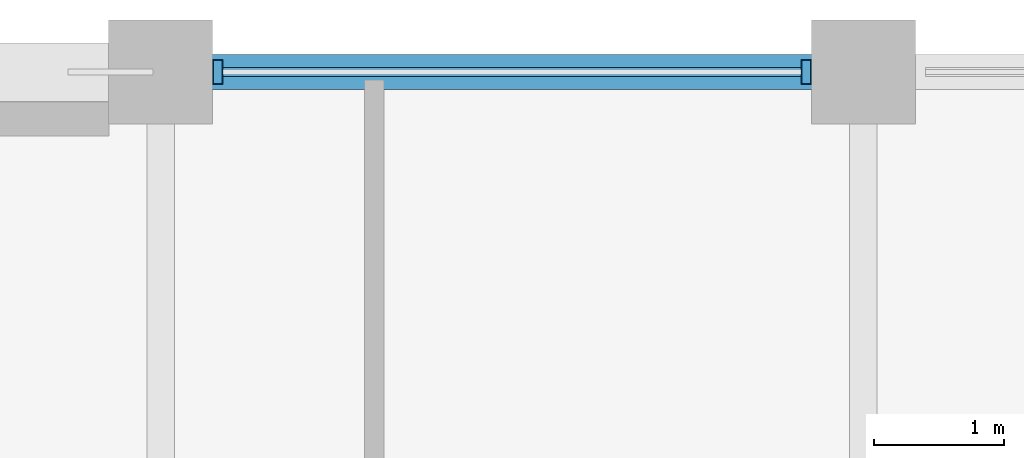
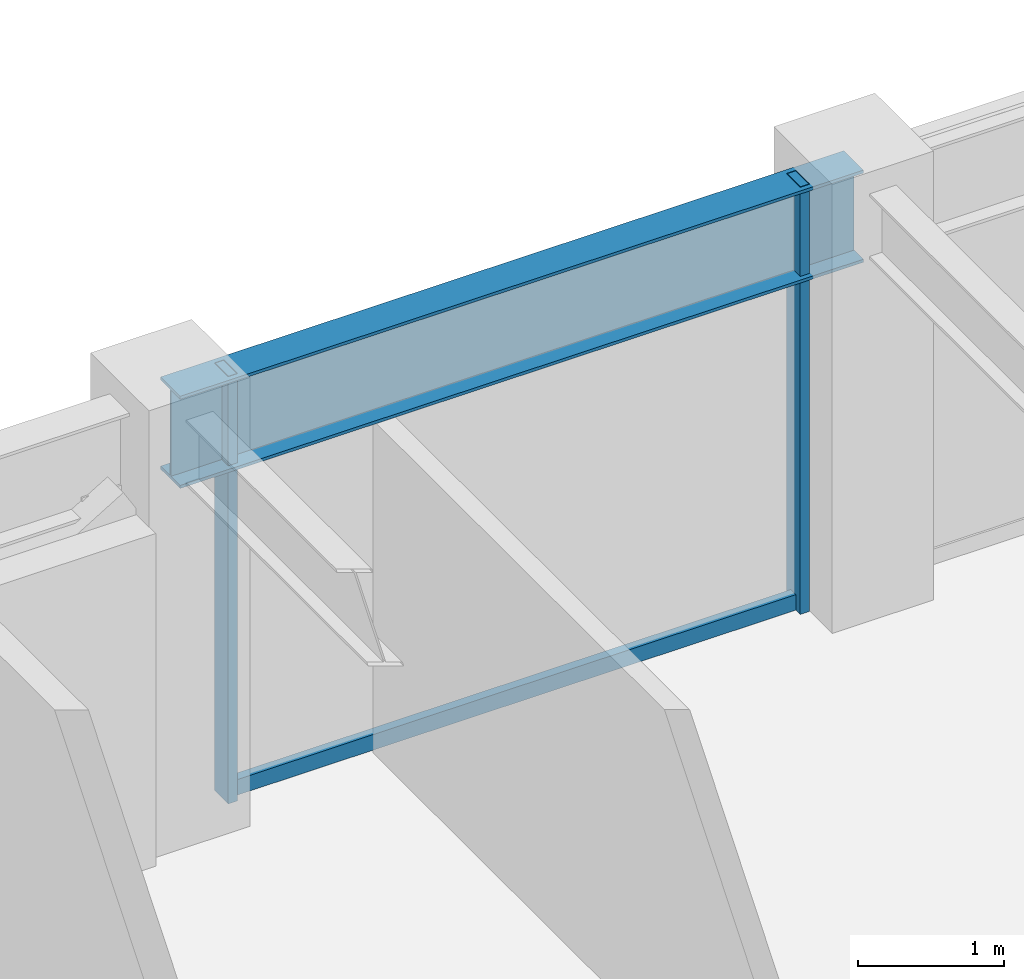
# One storey, part 22 of 32: 3 members, 1 beam, 1 element without a shape of its own.
"""IFC4 building model written with IfcOpenShell, lengths in metres."""

from ifc_helpers import new_model, si_unit, direction, frame, origin, origin_2d, place, context, subcontext, project, spatial, hollow_rectangle, i_section, extrude, material, layer, layer_set, material_profile, profile_set, type_object, element, aggregate, save


model = new_model("IFC4")

# Units and contexts
model_context = context("Model", 3, precision=1e-05, world=origin(), true_north=direction((0.0, 1.0)))
body_context = subcontext(model_context, "Body", "Model", "MODEL_VIEW")
ifc_project = project(units=[si_unit("LENGTHUNIT", "METRE"), si_unit("AREAUNIT", "SQUARE_METRE"), si_unit("VOLUMEUNIT", "CUBIC_METRE"), si_unit("PLANEANGLEUNIT", "RADIAN"), si_unit("MASSUNIT", "GRAM", prefix="KILO")], contexts=[model_context])

# Site, building, storey
site_placement = place(None, origin())
site = spatial("IfcSite", under=ifc_project, at=site_placement, CompositionType="ELEMENT")
building_placement = place(site_placement, origin())
building = spatial("IfcBuilding", under=site, at=building_placement, Name="Surkhivell Harbour Commons", CompositionType="ELEMENT")
storey_placement = place(building_placement, frame((0.0, 0.0, 234.75)))
storey = spatial("IfcBuildingStorey", under=building, at=storey_placement, Name="L61", CompositionType="ELEMENT", Elevation=234.75)

# Beam
ifc_material_1 = material(Name="Steel S355", Category="steel")
ifc_material_profile_1 = material_profile(ifc_material_1, i_section(OverallWidth=0.26806640625, OverallDepth=0.77001953125, WebThickness=0.015625, FlangeThickness=0.025390625, at=origin_2d()), Name="UB762x267x197")
ifc_profile_set_1 = profile_set([ifc_material_profile_1], Name="Steel S355")
beam_type = type_object("IfcBeamType", Name="BM-SPN-762", PredefinedType="SPANDREL", material=ifc_profile_set_1)
beam_placement = place(storey_placement, frame((5.39990234375, 25.89990234375, 3.18505859375), z_axis=(1.0, 0.0, 0.0), x_axis=(0.0, 1.0, 0.0)))
element("IfcBeam", 1, at=beam_placement, inside=storey, type_object=beam_type, Name="L61 Tube Spandrel (5.4,25.9)", PredefinedType="SPANDREL", context=body_context, shape_type="SweptSolid", body=[
    extrude(i_section(OverallWidth=0.26806640625, OverallDepth=0.77001953125, WebThickness=0.015625, FlangeThickness=0.025390625, at=origin_2d()), origin(), (0.0, 0.0, 1.0), 5.400146484375),
])

# Curtain wall, members
ifc_material_2 = material(Name="Anodised pale-metal aluminium and insulated glazing", Category="aluminium")
ifc_layer = layer(ifc_material_2, 0.18994140625)
ifc_layer_set = layer_set([ifc_layer], Name="Anodised pale-metal aluminium and insulated glazing")
curtain_wall_type = type_object("IfcCurtainWallType", Name="CW-SYS-Z3", PredefinedType="NOTDEFINED", material=ifc_layer_set)
curtain_wall_placement = place(storey_placement, origin())
curtain_wall = element("IfcCurtainWall", 2, at=curtain_wall_placement, inside=storey, type_object=curtain_wall_type, Name="L61 Curtain Wall CW-L61-E07S1", PredefinedType="NOTDEFINED")
ifc_material_3 = material(Name="Anodised pale-metal aluminium alloy 6063-T6", Category="aluminium")
ifc_material_profile_2 = material_profile(ifc_material_3, hollow_rectangle(XDim=0.074951171875, YDim=0.18994140625, WallThickness=0.00390625, at=origin_2d()), Name="ALU-MULL-75x190")
ifc_profile_set_2 = profile_set([ifc_material_profile_2], Name="Anodised pale-metal aluminium alloy 6063-T6")
member_type_1 = type_object("IfcMemberType", Name="CWM-190", PredefinedType="MULLION", material=ifc_profile_set_2)
member_1_placement = place(storey_placement, frame((10.360595703125, 25.89990234375, 0.0), z_axis=(0.0, 0.0, 1.0), x_axis=(-1.0, 0.0, 0.0)))
member_1 = element("IfcMember", 3, at=member_1_placement, type_object=member_type_1, Name="CW-Z3 mullion 2", PredefinedType="MULLION", context=body_context, shape_type="SweptSolid", body=[
    extrude(hollow_rectangle(XDim=0.074951171875, YDim=0.18994140625, WallThickness=0.00390625, at=origin_2d()), origin(), (0.0, 0.0, 1.0), 3.570068359375),
])
member_2_placement = place(storey_placement, frame((5.839599609375, 25.89990234375, 0.0), z_axis=(0.0, 0.0, 1.0), x_axis=(-1.0, 0.0, 0.0)))
member_2 = element("IfcMember", 4, at=member_2_placement, type_object=member_type_1, Name="CW-Z3 mullion 3", PredefinedType="MULLION", context=body_context, shape_type="SweptSolid", body=[
    extrude(hollow_rectangle(XDim=0.074951171875, YDim=0.18994140625, WallThickness=0.00390625, at=origin_2d()), origin(), (0.0, 0.0, 1.0), 3.570068359375),
])
ifc_material_4 = material(Name="Champagne anodised aluminium alloy 6063-T6", Category="aluminium")
ifc_material_profile_3 = material_profile(ifc_material_4, hollow_rectangle(XDim=0.070068359375, YDim=0.1298828125, WallThickness=0.00341796875, at=origin_2d()), Name="ALU-TRAN-70x130")
ifc_profile_set_3 = profile_set([ifc_material_profile_3], Name="Champagne anodised aluminium alloy 6063-T6")
member_type_2 = type_object("IfcMemberType", Name="CWT-130", PredefinedType="USERDEFINED", material=ifc_profile_set_3)
member_3_placement = place(storey_placement, frame((10.322998046875, 25.89990234375, 0.06494140625), z_axis=(-1.0, 0.0, 0.0), x_axis=(0.0, -1.0, 0.0)))
member_3 = element("IfcMember", 5, at=member_3_placement, type_object=member_type_2, Name="CW-Z3 transom 2.1", ObjectType="TRANSOM", PredefinedType="USERDEFINED", context=body_context, shape_type="SweptSolid", body=[
    extrude(hollow_rectangle(XDim=0.070068359375, YDim=0.1298828125, WallThickness=0.00341796875, at=origin_2d()), origin(), (0.0, 0.0, 1.0), 4.446044921875),
])
aggregate(curtain_wall, [member_1, member_2, member_3])

save(model, "model.ifc")
